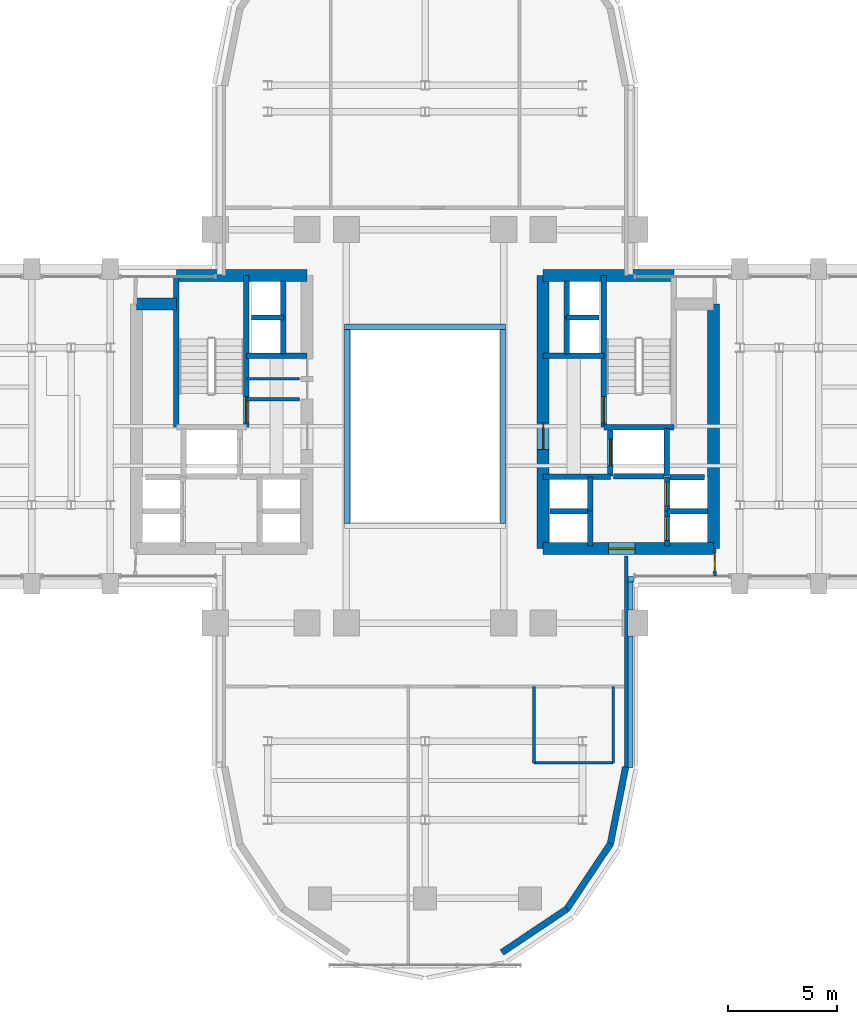
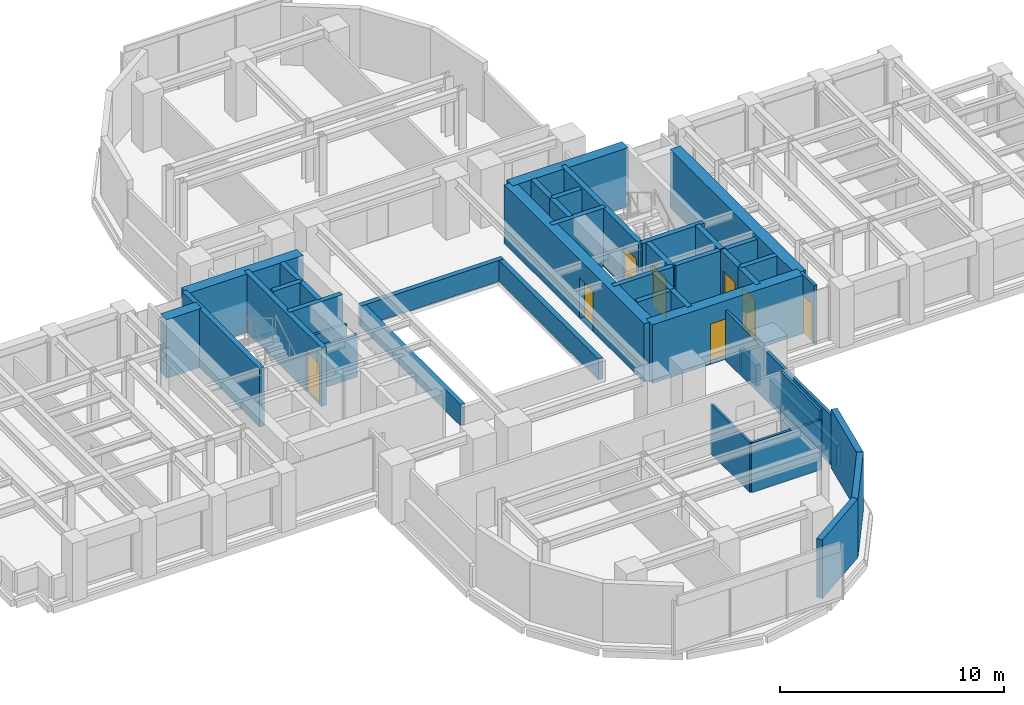
# One storey, part 11 of 16: 45 walls, 8 doors, 8 openings.
"""IFC4 building model written with IfcOpenShell, lengths in metres."""

from ifc_helpers import new_model, si_unit, direction, frame, frame_2d, origin, place, context, subcontext, project, spatial, rectangle, extrude, source, transform, mapped, material, layer, layer_set, type_object, element, fill, save


model = new_model("IFC4")

# Units and contexts
model_context = context("Model", 3, precision=1e-05, world=origin(), true_north=direction((0.0, 1.0)))
body_context = subcontext(model_context, "Body", "Model", "MODEL_VIEW")
ifc_project = project(units=[si_unit("LENGTHUNIT", "METRE"), si_unit("AREAUNIT", "SQUARE_METRE"), si_unit("VOLUMEUNIT", "CUBIC_METRE"), si_unit("PLANEANGLEUNIT", "RADIAN"), si_unit("MASSUNIT", "GRAM", prefix="KILO")], contexts=[model_context])

# Site, building, storey
site_placement = place(None, origin())
site = spatial("IfcSite", under=ifc_project, at=site_placement, CompositionType="ELEMENT")
building_placement = place(site_placement, origin())
building = spatial("IfcBuilding", under=site, at=building_placement, Name="Keilestroom Media Tower", CompositionType="ELEMENT")
storey_placement = place(building_placement, frame((0.0, 0.0, 81.60009765625)))
storey = spatial("IfcBuildingStorey", under=building, at=storey_placement, Name="L21", CompositionType="ELEMENT", Elevation=81.60009765625)

# Walls
ifc_material_1 = material(Name="Precast concrete C40/50", Category="concrete")
ifc_layer_1 = layer(ifc_material_1, 0.300048828125)
ifc_layer_set_1 = layer_set([ifc_layer_1], Name="Precast concrete C40/50")
wall_type_1 = type_object("IfcWallType", Name="Exterior-Masonry-Spandrel-Wall-300", PredefinedType="SOLIDWALL", material=ifc_layer_set_1)
wall_1_placement = place(storey_placement, frame((3.510009765625, -24.073486328125, 0.0), z_axis=(0.0, 0.0, 1.0), x_axis=(0.8314749531, 0.555562239868, 0.0)))
element("IfcWall", 1, at=wall_1_placement, inside=storey, type_object=wall_type_1, Name="L21 Lobe Facet Precast Frame Wall 10", PredefinedType="SOLIDWALL", context=body_context, shape_type="SweptSolid", body=[
    extrude(rectangle(XDim=3.59326171875, YDim=0.300048828125, at=frame_2d((1.796630859375, 0.0))), origin(), (0.0, 0.0, 1.0), 3.199951171875),
])
for number, where, z_axis, x_axis, name in (
    (2, (6.47705078125, -22.097900390625, 0.0), (0.0, 0.0, 1.0), (0.555574187116, 0.831466970246, 0.0), "L21 Lobe Facet Precast Frame Wall 11"),
    (3, (8.470703125, -19.12451171875, 0.0), (0.0, 0.0, 1.0), (0.195114232679, 0.980780523974, 0.0), "L21 Lobe Facet Precast Frame Wall 12"),
):
    element("IfcWall", number, at=place(storey_placement, frame(where, z_axis=z_axis, x_axis=x_axis)), inside=storey, type_object=wall_type_1, Name=name, PredefinedType="SOLIDWALL", context=body_context, shape_type="SweptSolid", body=[
        extrude(rectangle(XDim=3.608642578125, YDim=0.300048828125, at=frame_2d((1.80419921875, 0.0))), origin(), (0.0, 0.0, 1.0), 3.199951171875),
    ])
ifc_material_2 = material(Name="Gypsum Plasterboard & Steel Stud", Category="steel")
ifc_layer_2 = layer(ifc_material_2, 0.1201171875)
ifc_layer_set_2 = layer_set([ifc_layer_2], Name="Gypsum Plasterboard & Steel Stud")
wall_type_2 = type_object("IfcWallType", Name="Interior-Partition-Wall-120", PredefinedType="PARTITIONING", material=ifc_layer_set_2)
wall_2_placement = place(storey_placement, frame((-8.139892578125, 2.179931640625, 0.0), z_axis=(0.0, 0.0, 1.0), x_axis=(1.0, 0.0, 0.0)))
element("IfcWall", 4, at=wall_2_placement, inside=storey, type_object=wall_type_2, Name="L21 Interior Wall WP-L21-CNW-N", PredefinedType="PARTITIONING", context=body_context, shape_type="SweptSolid", body=[
    extrude(rectangle(XDim=2.389892578125, YDim=0.1201171875, at=frame_2d((1.19482421875, 0.0))), origin(), (0.0, 0.0, 1.0), 2.2998046875),
])
wall_3_placement = place(storey_placement, frame((4.97998046875, -15.39990234375, 0.0), z_axis=(0.0, 0.0, 1.0), x_axis=(1.0, 0.0, 0.0)))
element("IfcWall", 5, at=wall_3_placement, inside=storey, type_object=wall_type_2, Name="L21 Interior Wall WP-L21-SL-WC1-S", PredefinedType="PARTITIONING", context=body_context, shape_type="SweptSolid", body=[
    extrude(rectangle(XDim=3.6201171875, YDim=0.1201171875, at=frame_2d((1.81005859375, 0.0))), origin(), (0.0, 0.0, 1.0), 2.699951171875),
])
wall_4_placement = place(storey_placement, frame((4.97998046875, -15.39990234375, 0.0), z_axis=(0.0, 0.0, 1.0), x_axis=(0.0, 1.0, 0.0)))
element("IfcWall", 6, at=wall_4_placement, inside=storey, type_object=wall_type_2, Name="L21 Interior Wall WP-L21-SL-WC1-W", PredefinedType="PARTITIONING", context=body_context, shape_type="SweptSolid", body=[
    extrude(rectangle(XDim=3.5, YDim=0.1201171875, at=frame_2d((1.75, 0.0))), origin(), (0.0, 0.0, 1.0), 2.7099609375),
])
wall_5_placement = place(storey_placement, frame((8.60009765625, -15.39990234375, 0.0), z_axis=(0.0, 0.0, 1.0), x_axis=(0.0, 1.0, 0.0)))
element("IfcWall", 7, at=wall_5_placement, inside=storey, type_object=wall_type_2, Name="L21 Interior Wall WP-L21-SL-WC1-E", PredefinedType="PARTITIONING", context=body_context, shape_type="SweptSolid", body=[
    extrude(rectangle(XDim=3.5, YDim=0.1201171875, at=frame_2d((1.75, 0.0))), origin(), (0.0, 0.0, 1.0), 3.199951171875),
])
ifc_layer_3 = layer(ifc_material_2, 0.14990234375)
ifc_layer_set_3 = layer_set([ifc_layer_3], Name="Gypsum Plasterboard & Steel Stud")
wall_type_3 = type_object("IfcWallType", Name="Interior-Partition-Wall-150", PredefinedType="PARTITIONING", material=ifc_layer_set_3)
wall_6_placement = place(storey_placement, frame((-8.139892578125, 1.239990234375, 0.0), z_axis=(0.0, 0.0, 1.0), x_axis=(1.0, 0.0, 0.0)))
element("IfcWall", 8, at=wall_6_placement, inside=storey, type_object=wall_type_3, Name="L21 Interior Wall WP-L21-FFW-TOP", PredefinedType="PARTITIONING", context=body_context, shape_type="SweptSolid", body=[
    extrude(rectangle(XDim=2.389892578125, YDim=0.14990234375, at=frame_2d((1.19482421875, 0.0))), origin(), (0.0, 0.0, 1.0), 2.2998046875),
])
wall_7_placement = place(storey_placement, frame((9.199951171875, -15.679931640625, 0.0), z_axis=(0.0, 0.0, 1.0), x_axis=(0.0, 1.0, 0.0)))
element("IfcWall", 9, at=wall_7_placement, inside=storey, type_object=wall_type_3, Name="L21 Interior Wall WP-L21-SL-CHKE", PredefinedType="PARTITIONING", context=body_context, shape_type="SweptSolid", body=[
    extrude(rectangle(XDim=9.739990234375, YDim=0.14990234375, at=frame_2d((4.8701171875, 0.0))), origin(), (0.0, 0.0, 1.0), 2.7099609375),
])

# Wall, opening, door
wall_8_placement = place(storey_placement, frame((13.260009765625, -6.85009765625, 0.0), z_axis=(0.0, 0.0, 1.0), x_axis=(-0.016013571389, 0.999871774545, 0.0)))
wall_8 = element("IfcWall", 10, at=wall_8_placement, inside=storey, type_object=wall_type_3, Name="L21 Interior Wall WP-L21-EA-ENTS", PredefinedType="PARTITIONING", context=body_context, shape_type="SweptSolid", body=[
    extrude(rectangle(XDim=1.250244140625, YDim=0.14990234375, at=frame_2d((0.625, 0.0))), origin(), (0.0, 0.0, 1.0), 3.199951171875),
])
opening_1_placement = place(wall_8_placement, frame((0.199951171875, 0.0, 0.0)))
opening_1 = element("IfcOpeningElement", 11, at=opening_1_placement, cuts=wall_8, Name="Opening DI-05", PredefinedType="OPENING", context=body_context, shape_type="SweptSolid", body=[
    extrude(rectangle(XDim=0.85009765625, YDim=2.10009765625, at=frame_2d((0.425048828125, 1.050048828125))), frame((0.0, 0.0849609375, 0.0), z_axis=(0.0, -1.0, 0.0), x_axis=(1.0, 0.0, 0.0)), (0.0, 0.0, 1.0), 0.169921875),
])
ifc_material_3 = material(Name="Moisture-Resistant Oak Leaf", Category="wood")
door_type_1 = type_object("IfcDoorType", Name="Interior-En-Suite-And-Cupboard-Door-DI-05", OperationType="NOTDEFINED", PredefinedType="DOOR", material=ifc_material_3)
shared_shape_1 = source(origin(), body_context, "Body", "SweptSolid", [
    extrude(rectangle(XDim=0.85009765625, YDim=2.10009765625, at=frame_2d((0.425048828125, 1.050048828125))), frame((0.0, 0.02490234375, 0.0), z_axis=(0.0, -1.0, 0.0), x_axis=(1.0, 0.0, 0.0)), (0.0, 0.0, 1.0), 0.050048828125),
])
door_1_placement = place(opening_1_placement, origin())
door_1 = element("IfcDoor", 12, at=door_1_placement, inside=storey, type_object=door_type_1, Name="L21 Interior Door DI-L21-DEA-W", OperationType="SINGLE_SWING_RIGHT", OverallHeight=2.10009765625, OverallWidth=0.85009765625, PredefinedType="DOOR", context=body_context, shape_type="MappedRepresentation", body=[
    mapped(shared_shape_1, transform((0.0, 0.0, 0.0), x_axis=(1.0, 0.0, 0.0), y_axis=(0.0, 1.0, 0.0), z_axis=(0.0, 0.0, 1.0), scale=1.0)),
])
fill(opening_1, door_1)

# Walls
ifc_material_4 = material(Name="Concrete C70/85", Category="concrete")
ifc_layer_4 = layer(ifc_material_4, 0.550048828125)
ifc_layer_set_4 = layer_set([ifc_layer_4], Name="Concrete C70/85")
wall_type_4 = type_object("IfcWallType", Name="Reinforced-Concrete-Core-Shear-Wall-550", PredefinedType="SHEAR", material=ifc_layer_set_4)
wall_9_placement = place(storey_placement, frame((-11.381103515625, 6.89990234375, 0.0), z_axis=(0.0, 0.0, 1.0), x_axis=(1.0, 0.0, 0.0)))
element("IfcWall", 13, at=wall_9_placement, inside=storey, type_object=wall_type_4, Name="L21 Core Shear Wall WL-L21-CORE-W-N", PredefinedType="SHEAR", context=body_context, shape_type="SweptSolid", body=[
    extrude(rectangle(XDim=5.981201171875, YDim=0.550048828125, at=frame_2d((2.99072265625, 0.0))), origin(), (0.0, 0.0, 1.0), 3.199951171875),
])
wall_10_placement = place(storey_placement, frame((-13.199951171875, 5.60009765625, 0.0), z_axis=(0.0, 0.0, 1.0), x_axis=(1.0, 0.0, 0.0)))
element("IfcWall", 14, at=wall_10_placement, inside=storey, type_object=wall_type_4, Name="L21 Core Shear Wall WL-L21-CNW-N", PredefinedType="SHEAR", context=body_context, shape_type="SweptSolid", body=[
    extrude(rectangle(XDim=1.81884765625, YDim=0.550048828125, at=frame_2d((0.909423828125, 0.0))), origin(), (0.0, 0.0, 1.0), 3.199951171875),
])
wall_11_placement = place(storey_placement, frame((13.199951171875, -5.60009765625, 0.0), z_axis=(0.0, 0.0, 1.0), x_axis=(0.0, 1.0, 0.0)))
element("IfcWall", 15, at=wall_11_placement, inside=storey, type_object=wall_type_4, Name="L21 Core Shear Wall WL-L21-CORE-E-OUT", PredefinedType="SHEAR", context=body_context, shape_type="SweptSolid", body=[
    extrude(rectangle(XDim=11.2001953125, YDim=0.550048828125, at=frame_2d((5.60009765625, 0.0))), origin(), (0.0, 0.0, 1.0), 3.199951171875),
])

# Wall, opening, door
wall_12_placement = place(storey_placement, frame((5.39990234375, -5.60009765625, 0.0), z_axis=(0.0, 0.0, 1.0), x_axis=(0.0, 1.0, 0.0)))
wall_12 = element("IfcWall", 16, at=wall_12_placement, inside=storey, type_object=wall_type_4, Name="L21 Core Shear Wall WL-L21-CORE-E-IN", PredefinedType="SHEAR", context=body_context, shape_type="SweptSolid", body=[
    extrude(rectangle(XDim=12.5, YDim=0.550048828125, at=frame_2d((6.25, 0.0))), origin(), (0.0, 0.0, 1.0), 3.199951171875),
])
opening_2_placement = place(wall_12_placement, frame((4.550048828125, 0.0, 0.0)))
opening_2 = element("IfcOpeningElement", 17, at=opening_2_placement, cuts=wall_12, Name="Opening DI-02", PredefinedType="OPENING", context=body_context, shape_type="SweptSolid", body=[
    extrude(rectangle(XDim=1.199951171875, YDim=2.199951171875, at=frame_2d((0.60009765625, 1.10009765625))), frame((0.0, 0.28515625, 0.0), z_axis=(0.0, -1.0, 0.0), x_axis=(1.0, 0.0, 0.0)), (0.0, 0.0, 1.0), 0.570068359375),
])
ifc_material_5 = material(Name="Powder-Coated Steel Fire Leaf", Category="steel")
door_type_2 = type_object("IfcDoorType", Name="Interior-Compartment-Fire-Door-DI-02", OperationType="NOTDEFINED", PredefinedType="DOOR", material=ifc_material_5)
shared_shape_2 = source(origin(), body_context, "Body", "SweptSolid", [
    extrude(rectangle(XDim=1.199951171875, YDim=2.199951171875, at=frame_2d((0.60009765625, 1.10009765625))), frame((0.0, 0.02490234375, 0.0), z_axis=(0.0, -1.0, 0.0), x_axis=(1.0, 0.0, 0.0)), (0.0, 0.0, 1.0), 0.050048828125),
])
door_2_placement = place(opening_2_placement, origin())
door_2 = element("IfcDoor", 18, at=door_2_placement, inside=storey, type_object=door_type_2, Name="L21 E Firefighting Lobby Door", OperationType="SINGLE_SWING_LEFT", OverallHeight=2.199951171875, OverallWidth=1.199951171875, PredefinedType="DOOR", context=body_context, shape_type="MappedRepresentation", body=[
    mapped(shared_shape_2, transform((0.0, 0.0, 0.0), x_axis=(1.0, 0.0, 0.0), y_axis=(0.0, 1.0, 0.0), z_axis=(0.0, 0.0, 1.0), scale=1.0)),
])
fill(opening_2, door_2)

# Wall
wall_13_placement = place(storey_placement, frame((5.39990234375, 6.89990234375, 0.0), z_axis=(0.0, 0.0, 1.0), x_axis=(1.0, 0.0, 0.0)))
element("IfcWall", 19, at=wall_13_placement, inside=storey, type_object=wall_type_4, Name="L21 Core Shear Wall WL-L21-CORE-E-N", PredefinedType="SHEAR", context=body_context, shape_type="SweptSolid", body=[
    extrude(rectangle(XDim=5.981201171875, YDim=0.550048828125, at=frame_2d((2.99072265625, 0.0))), origin(), (0.0, 0.0, 1.0), 3.199951171875),
])

# Wall, opening, door
wall_14_placement = place(storey_placement, frame((5.39990234375, -5.60009765625, 0.0), z_axis=(0.0, 0.0, 1.0), x_axis=(1.0, 0.0, 0.0)))
wall_14 = element("IfcWall", 20, at=wall_14_placement, inside=storey, type_object=wall_type_4, Name="L21 Core Shear Wall WL-L21-CORE-E-S", PredefinedType="SHEAR", context=body_context, shape_type="SweptSolid", body=[
    extrude(rectangle(XDim=7.800048828125, YDim=0.550048828125, at=frame_2d((3.89990234375, 0.0))), origin(), (0.0, 0.0, 1.0), 3.199951171875),
])
opening_3_placement = place(wall_14_placement, frame((3.0, 0.0, 0.0)))
opening_3 = element("IfcOpeningElement", 21, at=opening_3_placement, cuts=wall_14, Name="Opening DI-02", PredefinedType="OPENING", context=body_context, shape_type="SweptSolid", body=[
    extrude(rectangle(XDim=1.199951171875, YDim=2.199951171875, at=frame_2d((0.60009765625, 1.10009765625))), frame((0.0, 0.28515625, 0.0), z_axis=(0.0, -1.0, 0.0), x_axis=(1.0, 0.0, 0.0)), (0.0, 0.0, 1.0), 0.570068359375),
])
door_3_placement = place(opening_3_placement, origin())
door_3 = element("IfcDoor", 22, at=door_3_placement, inside=storey, type_object=door_type_2, Name="L21 E Passenger Lift Lobby Door", OperationType="SINGLE_SWING_RIGHT", OverallHeight=2.199951171875, OverallWidth=1.199951171875, PredefinedType="DOOR", context=body_context, shape_type="MappedRepresentation", body=[
    mapped(shared_shape_2, transform((0.0, 0.0, 0.0), x_axis=(1.0, 0.0, 0.0), y_axis=(0.0, 1.0, 0.0), z_axis=(0.0, 0.0, 1.0), scale=1.0)),
])
fill(opening_3, door_3)

# Wall
ifc_material_6 = material(Name="Concrete C50/60", Category="concrete")
ifc_layer_5 = layer(ifc_material_6, 0.25)
ifc_layer_set_5 = layer_set([ifc_layer_5], Name="Concrete C50/60")
wall_type_5 = type_object("IfcWallType", Name="Reinforced-Concrete-Shaft-Wall-250", PredefinedType="SOLIDWALL", material=ifc_layer_set_5)
wall_15_placement = place(storey_placement, frame((-8.179931640625, 3.219970703125, 0.0), z_axis=(0.0, 0.0, 1.0), x_axis=(1.0, 0.0, 0.0)))
element("IfcWall", 23, at=wall_15_placement, inside=storey, type_object=wall_type_5, Name="L21 Core Shear Wall WL-L21-CORE-W-FFN", PredefinedType="SOLIDWALL", context=body_context, shape_type="SweptSolid", body=[
    extrude(rectangle(XDim=2.780029296875, YDim=0.25, at=frame_2d((1.39013671875, 0.0))), origin(), (0.0, 0.0, 1.0), 3.199951171875),
])

# Wall, opening, door
wall_16_placement = place(storey_placement, frame((-8.178955078125, -0.041015625, 0.0), z_axis=(0.0, 0.0, 1.0), x_axis=(0.0, 1.0, 0.0)))
wall_16 = element("IfcWall", 24, at=wall_16_placement, inside=storey, type_object=wall_type_5, Name="L21 Core Shear Wall WL-L21-STW-W-NEAR", PredefinedType="SOLIDWALL", context=body_context, shape_type="SweptSolid", body=[
    extrude(rectangle(XDim=6.94091796875, YDim=0.25, at=frame_2d((3.470458984375, 0.0))), origin(), (0.0, 0.0, 1.0), 3.199951171875),
])
opening_4_placement = place(wall_16_placement, frame((0.199951171875, 0.0, 0.0)))
opening_4 = element("IfcOpeningElement", 25, at=opening_4_placement, cuts=wall_16, Name="Opening DI-01S", PredefinedType="OPENING", context=body_context, shape_type="SweptSolid", body=[
    extrude(rectangle(XDim=1.199951171875, YDim=2.199951171875, at=frame_2d((0.60009765625, 1.10009765625))), frame((0.0, 0.135009765625, 0.0), z_axis=(0.0, -1.0, 0.0), x_axis=(1.0, 0.0, 0.0)), (0.0, 0.0, 1.0), 0.27001953125),
])
door_type_3 = type_object("IfcDoorType", Name="Interior-Stair-And-Core-Fire-Door-DI-01", OperationType="NOTDEFINED", PredefinedType="DOOR", material=ifc_material_5)
door_4_placement = place(opening_4_placement, origin())
door_4 = element("IfcDoor", 26, at=door_4_placement, inside=storey, type_object=door_type_3, Name="L21 Escape Stair ST-1 Fire Door", OperationType="SINGLE_SWING_LEFT", OverallHeight=2.199951171875, OverallWidth=1.199951171875, PredefinedType="DOOR", context=body_context, shape_type="MappedRepresentation", body=[
    mapped(shared_shape_2, transform((0.0, 0.0, 0.0), x_axis=(1.0, 0.0, 0.0), y_axis=(0.0, 1.0, 0.0), z_axis=(0.0, 0.0, 1.0), scale=1.0)),
])
fill(opening_4, door_4)

# Walls
wall_17_placement = place(storey_placement, frame((-11.381103515625, -0.041015625, 0.0), z_axis=(0.0, 0.0, 1.0), x_axis=(0.0, 1.0, 0.0)))
element("IfcWall", 27, at=wall_17_placement, inside=storey, type_object=wall_type_5, Name="L21 Core Shear Wall WL-L21-STW-W-FAR", PredefinedType="SOLIDWALL", context=body_context, shape_type="SweptSolid", body=[
    extrude(rectangle(XDim=6.94091796875, YDim=0.25, at=frame_2d((3.470458984375, 0.0))), origin(), (0.0, 0.0, 1.0), 3.199951171875),
])
wall_18_placement = place(storey_placement, frame((5.39990234375, 3.219970703125, 0.0), z_axis=(0.0, 0.0, 1.0), x_axis=(1.0, 0.0, 0.0)))
element("IfcWall", 28, at=wall_18_placement, inside=storey, type_object=wall_type_5, Name="L21 Core Shear Wall WL-L21-CORE-E-FFN", PredefinedType="SOLIDWALL", context=body_context, shape_type="SweptSolid", body=[
    extrude(rectangle(XDim=2.780029296875, YDim=0.25, at=frame_2d((1.39013671875, 0.0))), origin(), (0.0, 0.0, 1.0), 3.199951171875),
])
wall_19_placement = place(storey_placement, frame((5.39990234375, -2.300048828125, 0.0), z_axis=(0.0, 0.0, 1.0), x_axis=(1.0, 0.0, 0.0)))
element("IfcWall", 29, at=wall_19_placement, inside=storey, type_object=wall_type_5, Name="L21 Core Shear Wall WL-L21-CORE-E-FFS", PredefinedType="SOLIDWALL", context=body_context, shape_type="SweptSolid", body=[
    extrude(rectangle(XDim=3.080078125, YDim=0.25, at=frame_2d((1.5400390625, 0.0))), origin(), (0.0, 0.0, 1.0), 3.199951171875),
])

# Wall, opening, door
wall_20_placement = place(storey_placement, frame((8.178955078125, -0.041015625, 0.0), z_axis=(0.0, 0.0, 1.0), x_axis=(0.0, 1.0, 0.0)))
wall_20 = element("IfcWall", 30, at=wall_20_placement, inside=storey, type_object=wall_type_5, Name="L21 Core Shear Wall WL-L21-STW-E-NEAR", PredefinedType="SOLIDWALL", context=body_context, shape_type="SweptSolid", body=[
    extrude(rectangle(XDim=6.94091796875, YDim=0.25, at=frame_2d((3.470458984375, 0.0))), origin(), (0.0, 0.0, 1.0), 3.199951171875),
])
opening_5_placement = place(wall_20_placement, frame((0.199951171875, 0.0, 0.0)))
opening_5 = element("IfcOpeningElement", 31, at=opening_5_placement, cuts=wall_20, Name="Opening DI-01S", PredefinedType="OPENING", context=body_context, shape_type="SweptSolid", body=[
    extrude(rectangle(XDim=1.199951171875, YDim=2.199951171875, at=frame_2d((0.60009765625, 1.10009765625))), frame((0.0, 0.135009765625, 0.0), z_axis=(0.0, -1.0, 0.0), x_axis=(1.0, 0.0, 0.0)), (0.0, 0.0, 1.0), 0.27001953125),
])
door_5_placement = place(opening_5_placement, origin())
door_5 = element("IfcDoor", 32, at=door_5_placement, inside=storey, type_object=door_type_3, Name="L21 Escape Stair ST-2 Fire Door", OperationType="SINGLE_SWING_RIGHT", OverallHeight=2.199951171875, OverallWidth=1.199951171875, PredefinedType="DOOR", context=body_context, shape_type="MappedRepresentation", body=[
    mapped(shared_shape_2, transform((0.0, 0.0, 0.0), x_axis=(1.0, 0.0, 0.0), y_axis=(0.0, 1.0, 0.0), z_axis=(0.0, 0.0, 1.0), scale=1.0)),
])
fill(opening_5, door_5)

# Wall
wall_21_placement = place(storey_placement, frame((8.178955078125, -0.041015625, 0.0), z_axis=(0.0, 0.0, 1.0), x_axis=(1.0, 0.0, 0.0)))
element("IfcWall", 33, at=wall_21_placement, inside=storey, type_object=wall_type_5, Name="L21 Core Shear Wall WL-L21-STW-E-S", PredefinedType="SOLIDWALL", context=body_context, shape_type="SweptSolid", body=[
    extrude(rectangle(XDim=3.2021484375, YDim=0.25, at=frame_2d((1.60107421875, 0.0))), origin(), (0.0, 0.0, 1.0), 3.199951171875),
])

# Wall, opening, door
wall_22_placement = place(storey_placement, frame((8.47998046875, -2.280029296875, 0.0), z_axis=(0.0, 0.0, 1.0), x_axis=(0.0, 1.0, 0.0)))
wall_22 = element("IfcWall", 34, at=wall_22_placement, inside=storey, type_object=wall_type_5, Name="L21 Core Shear Wall WL-L21-LSH-FFL-2-W", PredefinedType="SOLIDWALL", context=body_context, shape_type="SweptSolid", body=[
    extrude(rectangle(XDim=2.179931640625, YDim=0.25, at=frame_2d((1.08984375, 0.0))), origin(), (0.0, 0.0, 1.0), 3.199951171875),
])
opening_6_placement = place(wall_22_placement, frame((0.489990234375, 0.0, 0.0)))
opening_6 = element("IfcOpeningElement", 35, at=opening_6_placement, cuts=wall_22, Name="Opening LD-02", PredefinedType="OPENING", context=body_context, shape_type="SweptSolid", body=[
    extrude(rectangle(XDim=1.199951171875, YDim=2.199951171875, at=frame_2d((0.60009765625, 1.10009765625))), frame((0.0, 0.135009765625, 0.0), z_axis=(0.0, -1.0, 0.0), x_axis=(1.0, 0.0, 0.0)), (0.0, 0.0, 1.0), 0.27001953125),
])
ifc_material_7 = material(Name="Brushed Stainless Steel Sliding Leaf", Category="steel")
door_type_4 = type_object("IfcDoorType", Name="Lift-Landing-Sliding-Door-LD-02", OperationType="SLIDING_TO_RIGHT", PredefinedType="DOOR", material=ifc_material_7)
door_6_placement = place(opening_6_placement, origin())
door_6 = element("IfcDoor", 36, at=door_6_placement, inside=storey, type_object=door_type_4, Name="L21 Lift FFL-2 Landing Sliding Door", OperationType="SLIDING_TO_RIGHT", OverallHeight=2.199951171875, OverallWidth=1.199951171875, PredefinedType="DOOR", context=body_context, shape_type="MappedRepresentation", body=[
    mapped(shared_shape_2, transform((0.0, 0.0, 0.0), x_axis=(1.0, 0.0, 0.0), y_axis=(0.0, 1.0, 0.0), z_axis=(0.0, 0.0, 1.0), scale=1.0)),
])
fill(opening_6, door_6)

# Walls
wall_23_placement = place(storey_placement, frame((11.050048828125, -2.280029296875, 0.0), z_axis=(0.0, 0.0, 1.0), x_axis=(0.0, 1.0, 0.0)))
element("IfcWall", 37, at=wall_23_placement, inside=storey, type_object=wall_type_5, Name="L21 Core Shear Wall WL-L21-LSH-FFL-2-E", PredefinedType="SOLIDWALL", context=body_context, shape_type="SweptSolid", body=[
    extrude(rectangle(XDim=2.179931640625, YDim=0.25, at=frame_2d((1.08984375, 0.0))), origin(), (0.0, 0.0, 1.0), 3.199951171875),
])
wall_24_placement = place(storey_placement, frame((8.60888671875, -2.280029296875, 0.0), z_axis=(0.0, 0.0, 1.0), x_axis=(1.0, 0.0, 0.0)))
element("IfcWall", 38, at=wall_24_placement, inside=storey, type_object=wall_type_5, Name="L21 Core Shear Wall WL-L21-LSH-FFL-2-S", PredefinedType="SOLIDWALL", context=body_context, shape_type="SweptSolid", body=[
    extrude(rectangle(XDim=2.31201171875, YDim=0.25, at=frame_2d((1.156005859375, 0.0))), origin(), (0.0, 0.0, 1.0), 3.199951171875),
])

# Wall, opening, door
wall_25_placement = place(storey_placement, frame((11.080078125, -5.47998046875, 0.0), z_axis=(0.0, 0.0, 1.0), x_axis=(0.0, 1.0, 0.0)))
wall_25 = element("IfcWall", 39, at=wall_25_placement, inside=storey, type_object=wall_type_5, Name="L21 Core Shear Wall WL-L21-LSH-PL-L3-W", PredefinedType="SOLIDWALL", context=body_context, shape_type="SweptSolid", body=[
    extrude(rectangle(XDim=1.60009765625, YDim=0.25, at=frame_2d((0.800048828125, 0.0))), origin(), (0.0, 0.0, 1.0), 3.199951171875),
])
opening_7_placement = place(wall_25_placement, frame((0.25, 0.0, 0.0)))
opening_7 = element("IfcOpeningElement", 40, at=opening_7_placement, cuts=wall_25, Name="Opening LD-01", PredefinedType="OPENING", context=body_context, shape_type="SweptSolid", body=[
    extrude(rectangle(XDim=1.10009765625, YDim=2.199951171875, at=frame_2d((0.550048828125, 1.10009765625))), frame((0.0, 0.135009765625, 0.0), z_axis=(0.0, -1.0, 0.0), x_axis=(1.0, 0.0, 0.0)), (0.0, 0.0, 1.0), 0.27001953125),
])
door_type_5 = type_object("IfcDoorType", Name="Lift-Landing-Sliding-Door-LD-01", OperationType="SLIDING_TO_LEFT", PredefinedType="DOOR", material=ifc_material_7)
shared_shape_3 = source(origin(), body_context, "Body", "SweptSolid", [
    extrude(rectangle(XDim=1.10009765625, YDim=2.199951171875, at=frame_2d((0.550048828125, 1.10009765625))), frame((0.0, 0.02490234375, 0.0), z_axis=(0.0, -1.0, 0.0), x_axis=(1.0, 0.0, 0.0)), (0.0, 0.0, 1.0), 0.050048828125),
])
door_7_placement = place(opening_7_placement, origin())
door_7 = element("IfcDoor", 41, at=door_7_placement, inside=storey, type_object=door_type_5, Name="L21 Lift PL-L3 Landing Sliding Door", OperationType="SLIDING_TO_LEFT", OverallHeight=2.199951171875, OverallWidth=1.10009765625, PredefinedType="DOOR", context=body_context, shape_type="MappedRepresentation", body=[
    mapped(shared_shape_3, transform((0.0, 0.0, 0.0), x_axis=(1.0, 0.0, 0.0), y_axis=(0.0, 1.0, 0.0), z_axis=(0.0, 0.0, 1.0), scale=1.0)),
])
fill(opening_7, door_7)

# Wall
wall_26_placement = place(storey_placement, frame((11.080078125, -3.8798828125, 0.0), z_axis=(0.0, 0.0, 1.0), x_axis=(1.0, 0.0, 0.0)))
element("IfcWall", 42, at=wall_26_placement, inside=storey, type_object=wall_type_5, Name="L21 Core Shear Wall WL-L21-LSH-PL-L3-N", PredefinedType="SOLIDWALL", context=body_context, shape_type="SweptSolid", body=[
    extrude(rectangle(XDim=1.83984375, YDim=0.25, at=frame_2d((0.919921875, 0.0))), origin(), (0.0, 0.0, 1.0), 3.199951171875),
])

# Wall, opening, door
wall_27_placement = place(storey_placement, frame((11.080078125, -3.8798828125, 0.0), z_axis=(0.0, 0.0, 1.0), x_axis=(0.0, 1.0, 0.0)))
wall_27 = element("IfcWall", 43, at=wall_27_placement, inside=storey, type_object=wall_type_5, Name="L21 Core Shear Wall WL-L21-LSH-PL-L4-W", PredefinedType="SOLIDWALL", context=body_context, shape_type="SweptSolid", body=[
    extrude(rectangle(XDim=1.559814453125, YDim=0.25, at=frame_2d((0.77978515625, 0.0))), origin(), (0.0, 0.0, 1.0), 3.199951171875),
])
opening_8_placement = place(wall_27_placement, frame((0.22998046875, 0.0, 0.0)))
opening_8 = element("IfcOpeningElement", 44, at=opening_8_placement, cuts=wall_27, Name="Opening LD-01", PredefinedType="OPENING", context=body_context, shape_type="SweptSolid", body=[
    extrude(rectangle(XDim=1.10009765625, YDim=2.199951171875, at=frame_2d((0.550048828125, 1.10009765625))), frame((0.0, 0.135009765625, 0.0), z_axis=(0.0, -1.0, 0.0), x_axis=(1.0, 0.0, 0.0)), (0.0, 0.0, 1.0), 0.27001953125),
])
door_8_placement = place(opening_8_placement, origin())
door_8 = element("IfcDoor", 45, at=door_8_placement, inside=storey, type_object=door_type_5, Name="L21 Lift PL-L4 Landing Sliding Door", OperationType="SLIDING_TO_LEFT", OverallHeight=2.199951171875, OverallWidth=1.10009765625, PredefinedType="DOOR", context=body_context, shape_type="MappedRepresentation", body=[
    mapped(shared_shape_3, transform((0.0, 0.0, 0.0), x_axis=(1.0, 0.0, 0.0), y_axis=(0.0, 1.0, 0.0), z_axis=(0.0, 0.0, 1.0), scale=1.0)),
])
fill(opening_8, door_8)

# Walls
wall_28_placement = place(storey_placement, frame((11.208984375, -2.320068359375, 0.0), z_axis=(0.0, 0.0, 1.0), x_axis=(1.0, 0.0, 0.0)))
element("IfcWall", 46, at=wall_28_placement, inside=storey, type_object=wall_type_5, Name="L21 Core Shear Wall WL-L21-LSH-PL-L4-N", PredefinedType="SOLIDWALL", context=body_context, shape_type="SweptSolid", body=[
    extrude(rectangle(XDim=1.58203125, YDim=0.25, at=frame_2d((0.791015625, 0.0))), origin(), (0.0, 0.0, 1.0), 3.199951171875),
])
wall_29_placement = place(storey_placement, frame((7.56005859375, -5.47998046875, 0.0), z_axis=(0.0, 0.0, 1.0), x_axis=(0.0, 1.0, 0.0)))
element("IfcWall", 47, at=wall_29_placement, inside=storey, type_object=wall_type_5, Name="L21 Core Shear Wall WL-L21-LSH-PL-M3-E", PredefinedType="SOLIDWALL", context=body_context, shape_type="SweptSolid", body=[
    extrude(rectangle(XDim=1.60009765625, YDim=0.25, at=frame_2d((0.800048828125, 0.0))), origin(), (0.0, 0.0, 1.0), 3.199951171875),
])
wall_30_placement = place(storey_placement, frame((5.719970703125, -3.8798828125, 0.0), z_axis=(0.0, 0.0, 1.0), x_axis=(1.0, 0.0, 0.0)))
element("IfcWall", 48, at=wall_30_placement, inside=storey, type_object=wall_type_5, Name="L21 Core Shear Wall WL-L21-LSH-PL-M3-N", PredefinedType="SOLIDWALL", context=body_context, shape_type="SweptSolid", body=[
    extrude(rectangle(XDim=1.840087890625, YDim=0.25, at=frame_2d((0.919921875, 0.0))), origin(), (0.0, 0.0, 1.0), 3.199951171875),
])
wall_31_placement = place(storey_placement, frame((7.56005859375, -3.8798828125, 0.0), z_axis=(0.0, 0.0, 1.0), x_axis=(0.0, 1.0, 0.0)))
element("IfcWall", 49, at=wall_31_placement, inside=storey, type_object=wall_type_5, Name="L21 Core Shear Wall WL-L21-LSH-PL-M4-E", PredefinedType="SOLIDWALL", context=body_context, shape_type="SweptSolid", body=[
    extrude(rectangle(XDim=1.559814453125, YDim=0.25, at=frame_2d((0.77978515625, 0.0))), origin(), (0.0, 0.0, 1.0), 3.199951171875),
])
wall_32_placement = place(storey_placement, frame((-6.47998046875, 3.300048828125, 0.0), z_axis=(0.0, 0.0, 1.0), x_axis=(0.0, 1.0, 0.0)))
element("IfcWall", 50, at=wall_32_placement, inside=storey, type_object=wall_type_5, Name="L21 Core Shear Wall WL-L21-LSH-PL-H1-E", PredefinedType="SOLIDWALL", context=body_context, shape_type="SweptSolid", body=[
    extrude(rectangle(XDim=1.679931640625, YDim=0.25, at=frame_2d((0.83984375, 0.0))), origin(), (0.0, 0.0, 1.0), 3.199951171875),
])
wall_33_placement = place(storey_placement, frame((-7.949951171875, 4.97998046875, 0.0), z_axis=(0.0, 0.0, 1.0), x_axis=(1.0, 0.0, 0.0)))
element("IfcWall", 51, at=wall_33_placement, inside=storey, type_object=wall_type_5, Name="L21 Core Shear Wall WL-L21-LSH-PL-H1-N", PredefinedType="SOLIDWALL", context=body_context, shape_type="SweptSolid", body=[
    extrude(rectangle(XDim=1.469970703125, YDim=0.25, at=frame_2d((0.73486328125, 0.0))), origin(), (0.0, 0.0, 1.0), 3.199951171875),
])
wall_34_placement = place(storey_placement, frame((-6.47998046875, 4.97998046875, 0.0), z_axis=(0.0, 0.0, 1.0), x_axis=(0.0, 1.0, 0.0)))
element("IfcWall", 52, at=wall_34_placement, inside=storey, type_object=wall_type_5, Name="L21 Core Shear Wall WL-L21-LSH-PL-H2-E", PredefinedType="SOLIDWALL", context=body_context, shape_type="SweptSolid", body=[
    extrude(rectangle(XDim=1.669921875, YDim=0.25, at=frame_2d((0.8349609375, 0.0))), origin(), (0.0, 0.0, 1.0), 3.199951171875),
])
wall_35_placement = place(storey_placement, frame((6.47998046875, 3.300048828125, 0.0), z_axis=(0.0, 0.0, 1.0), x_axis=(0.0, 1.0, 0.0)))
element("IfcWall", 53, at=wall_35_placement, inside=storey, type_object=wall_type_5, Name="L21 Core Shear Wall WL-L21-LSH-PL-H3-W", PredefinedType="SOLIDWALL", context=body_context, shape_type="SweptSolid", body=[
    extrude(rectangle(XDim=1.679931640625, YDim=0.25, at=frame_2d((0.83984375, 0.0))), origin(), (0.0, 0.0, 1.0), 3.199951171875),
])
wall_36_placement = place(storey_placement, frame((6.47998046875, 4.97998046875, 0.0), z_axis=(0.0, 0.0, 1.0), x_axis=(1.0, 0.0, 0.0)))
element("IfcWall", 54, at=wall_36_placement, inside=storey, type_object=wall_type_5, Name="L21 Core Shear Wall WL-L21-LSH-PL-H3-N", PredefinedType="SOLIDWALL", context=body_context, shape_type="SweptSolid", body=[
    extrude(rectangle(XDim=1.469970703125, YDim=0.25, at=frame_2d((0.73486328125, 0.0))), origin(), (0.0, 0.0, 1.0), 3.199951171875),
])
wall_37_placement = place(storey_placement, frame((6.47998046875, 4.97998046875, 0.0), z_axis=(0.0, 0.0, 1.0), x_axis=(0.0, 1.0, 0.0)))
element("IfcWall", 55, at=wall_37_placement, inside=storey, type_object=wall_type_5, Name="L21 Core Shear Wall WL-L21-LSH-PL-H4-W", PredefinedType="SOLIDWALL", context=body_context, shape_type="SweptSolid", body=[
    extrude(rectangle(XDim=1.669921875, YDim=0.25, at=frame_2d((0.8349609375, 0.0))), origin(), (0.0, 0.0, 1.0), 3.199951171875),
])
ifc_layer_6 = layer(ifc_material_1, 0.239990234375)
ifc_layer_set_6 = layer_set([ifc_layer_6], Name="Precast concrete C40/50")
wall_type_6 = type_object("IfcWallType", Name="Roof-And-Terrace-Parapet-Wall-240", PredefinedType="PARAPET", material=ifc_layer_set_6)
wall_38_placement = place(storey_placement, frame((9.547119140625, -7.0, 0.0), z_axis=(0.0, 0.0, 1.0), x_axis=(-1.0, 0.0, 0.0)))
element("IfcWall", 56, at=wall_38_placement, inside=storey, type_object=wall_type_6, Name="L21 Perimeter Edge Parapet Wall 06", PredefinedType="PARAPET", context=body_context, shape_type="SweptSolid", body=[
    extrude(rectangle(XDim=0.26904296875, YDim=0.239990234375, at=frame_2d((0.134521484375, 0.0))), origin(), (0.0, 0.0, 1.0), 1.14990234375),
])
wall_39_placement = place(storey_placement, frame((9.39990234375, -7.123046875, 0.0), z_axis=(0.0, 0.0, 1.0), x_axis=(0.0, -1.0, 0.0)))
element("IfcWall", 57, at=wall_39_placement, inside=storey, type_object=wall_type_6, Name="L21 Perimeter Edge Parapet Wall 07", PredefinedType="PARAPET", context=body_context, shape_type="SweptSolid", body=[
    extrude(rectangle(XDim=1.27392578125, YDim=0.239990234375, at=frame_2d((0.636962890625, 0.0))), origin(), (0.0, 0.0, 1.0), 1.14990234375),
])
wall_40_placement = place(storey_placement, frame((9.39990234375, -9.60302734375, 0.0), z_axis=(0.0, 0.0, 1.0), x_axis=(0.0, -1.0, 0.0)))
element("IfcWall", 58, at=wall_40_placement, inside=storey, type_object=wall_type_6, Name="L21 Perimeter Edge Parapet Wall 08", PredefinedType="PARAPET", context=body_context, shape_type="SweptSolid", body=[
    extrude(rectangle(XDim=5.999755859375, YDim=0.239990234375, at=frame_2d((3.0, 0.0))), origin(), (0.0, 0.0, 1.0), 1.14990234375),
])
wall_41_placement = place(storey_placement, frame((-3.679931640625, 4.56005859375, 0.0), z_axis=(0.0, 0.0, 1.0), x_axis=(1.0, 0.0, 0.0)))
element("IfcWall", 59, at=wall_41_placement, inside=storey, type_object=wall_type_6, Name="L21 Central Atrium Guard Parapet N", PredefinedType="PARAPET", context=body_context, shape_type="SweptSolid", body=[
    extrude(rectangle(XDim=7.35986328125, YDim=0.239990234375, at=frame_2d((3.679931640625, 0.0))), origin(), (0.0, 0.0, 1.0), 1.14990234375),
])
for number, where, z_axis, x_axis, name in (
    (60, (-3.56005859375, -4.43505859375, 0.0), (0.0, 0.0, 1.0), (0.0, 1.0, 0.0), "L21 Central Atrium Guard Parapet W"),
    (61, (3.56005859375, -4.43505859375, 0.0), (0.0, 0.0, 1.0), (0.0, 1.0, 0.0), "L21 Central Atrium Guard Parapet E"),
):
    element("IfcWall", number, at=place(storey_placement, frame(where, z_axis=z_axis, x_axis=x_axis)), inside=storey, type_object=wall_type_6, Name=name, PredefinedType="PARAPET", context=body_context, shape_type="SweptSolid", body=[
        extrude(rectangle(XDim=8.8701171875, YDim=0.239990234375, at=frame_2d((4.43505859375, 0.0))), origin(), (0.0, 0.0, 1.0), 1.14990234375),
    ])

save(model, "model.ifc")
